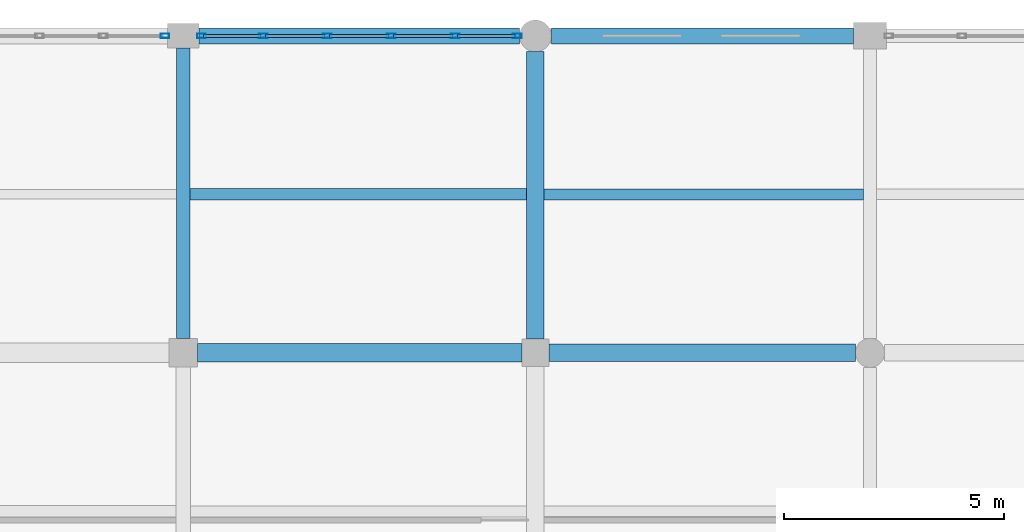
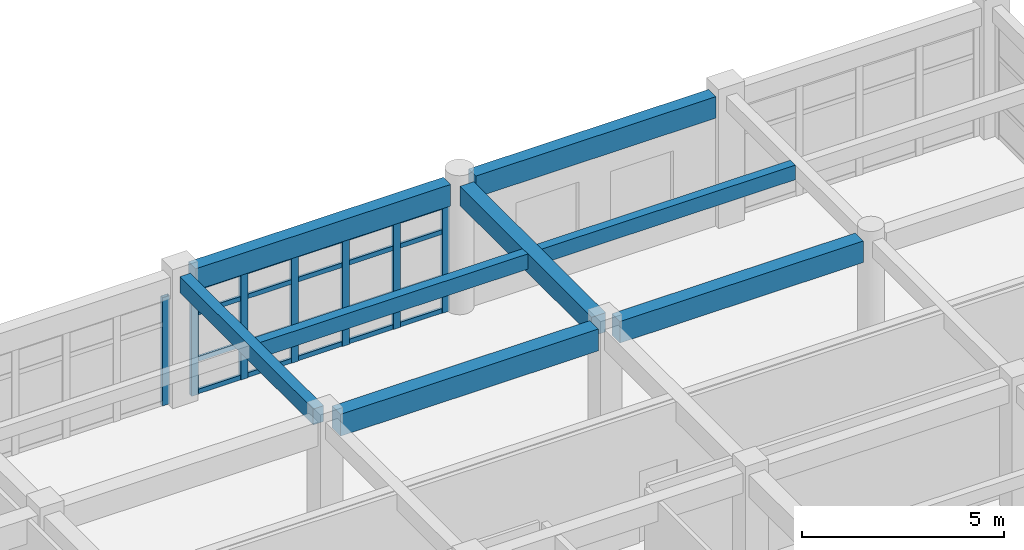
# One storey, part 140 of 195: 27 members, 8 beams, 2 elements without a shape of their own.
"""IFC4 building model written with IfcOpenShell, lengths in metres."""

from ifc_helpers import new_model, si_unit, direction, frame, origin, origin_2d, place, context, subcontext, project, spatial, rectangle, hollow_rectangle, extrude, material, material_profile, profile_set, type_object, element, aggregate, save


model = new_model("IFC4")

# Units and contexts
model_context = context("Model", 3, precision=1e-05, world=origin(), true_north=direction((0.0, 1.0)))
body_context = subcontext(model_context, "Body", "Model", "MODEL_VIEW")
ifc_project = project(units=[si_unit("LENGTHUNIT", "METRE"), si_unit("AREAUNIT", "SQUARE_METRE"), si_unit("VOLUMEUNIT", "CUBIC_METRE"), si_unit("PLANEANGLEUNIT", "RADIAN"), si_unit("MASSUNIT", "GRAM", prefix="KILO")], contexts=[model_context])

# Site, building, storey
site_placement = place(None, origin())
site = spatial("IfcSite", under=ifc_project, at=site_placement, CompositionType="ELEMENT")
building_placement = place(site_placement, origin())
building = spatial("IfcBuilding", under=site, at=building_placement, Name="Kharva Crest Polytechnic", CompositionType="ELEMENT")
storey_placement = place(building_placement, frame((0.0, 0.0, 9.0)))
storey = spatial("IfcBuildingStorey", under=building, at=storey_placement, Name="L02", CompositionType="ELEMENT", Elevation=9.0)

# Beams
ifc_material_1 = material(Name="Concrete C35/45", Category="concrete")
ifc_material_profile_1 = material_profile(ifc_material_1, rectangle(XDim=0.300048828125, YDim=0.47998046875, at=origin_2d()), Name="RECT 300 X 480")
ifc_profile_set_1 = profile_set([ifc_material_profile_1], Name="Concrete C35/45")
beam_type_1 = type_object("IfcBeamType", Name="BM-RC-300X480", PredefinedType="BEAM", material=ifc_profile_set_1)
beam_1_placement = place(storey_placement, frame((160.800048828125, 115.125, 3.679931640625), z_axis=(0.0, 1.0, 0.0), x_axis=(-1.0, 0.0, 0.0)))
element("IfcBeam", 1, at=beam_1_placement, inside=storey, type_object=beam_type_1, Name="L02 Girder 21/R-S", PredefinedType="BEAM", context=body_context, shape_type="SweptSolid", body=[
    extrude(rectangle(XDim=0.300048828125, YDim=0.47998046875, at=origin_2d()), origin(), (0.0, 0.0, 1.0), 6.60009765625),
])
ifc_material_profile_2 = material_profile(ifc_material_1, rectangle(XDim=0.39990234375, YDim=0.580078125, at=origin_2d()), Name="RECT 400 X 580")
ifc_profile_set_2 = profile_set([ifc_material_profile_2], Name="Concrete C35/45")
beam_type_2 = type_object("IfcBeamType", Name="BM-RC-400X580", PredefinedType="BEAM", material=ifc_profile_set_2)
beam_2_placement = place(storey_placement, frame((168.800048828125, 115.110107421875, 3.6298828125), z_axis=(0.0, 1.0, 0.0), x_axis=(-1.0, 0.0, 0.0)))
element("IfcBeam", 2, at=beam_2_placement, inside=storey, type_object=beam_type_2, Name="L02 Girder 22/R-S", PredefinedType="BEAM", context=body_context, shape_type="SweptSolid", body=[
    extrude(rectangle(XDim=0.39990234375, YDim=0.580078125, at=origin_2d()), origin(), (0.0, 0.0, 1.0), 6.52978515625),
])
ifc_material_profile_3 = material_profile(ifc_material_1, rectangle(XDim=0.39990234375, YDim=0.64990234375, at=origin_2d()), Name="RECT 400 X 650")
ifc_profile_set_3 = profile_set([ifc_material_profile_3], Name="Concrete C35/45")
beam_type_3 = type_object("IfcBeamType", Name="BM-RC-400X650", PredefinedType="BEAM", material=ifc_profile_set_3)
beam_3_placement = place(storey_placement, frame((169.110107421875, 114.800048828125, 3.594970703125), z_axis=(1.0, 0.0, 0.0), x_axis=(0.0, 1.0, 0.0)))
element("IfcBeam", 3, at=beam_3_placement, inside=storey, type_object=beam_type_3, Name="L02 Beam R/22-23", PredefinedType="BEAM", context=body_context, shape_type="SweptSolid", body=[
    extrude(rectangle(XDim=0.39990234375, YDim=0.64990234375, at=origin_2d()), origin(), (0.0, 0.0, 1.0), 6.9599609375),
])
ifc_material_profile_4 = material_profile(ifc_material_1, rectangle(XDim=0.419921875, YDim=0.659912109375, at=origin_2d()), Name="RECT 420 X 660")
ifc_profile_set_4 = profile_set([ifc_material_profile_4], Name="Concrete C35/45")
beam_type_4 = type_object("IfcBeamType", Name="BM-RC-420X660", PredefinedType="BEAM", material=ifc_profile_set_4)
beam_4_placement = place(storey_placement, frame((161.125, 114.800048828125, 3.590087890625), z_axis=(1.0, 0.0, 0.0), x_axis=(0.0, 1.0, 0.0)))
element("IfcBeam", 4, at=beam_4_placement, inside=storey, type_object=beam_type_4, Name="L02 Beam R/21-22", PredefinedType="BEAM", context=body_context, shape_type="SweptSolid", body=[
    extrude(rectangle(XDim=0.419921875, YDim=0.659912109375, at=origin_2d()), origin(), (0.0, 0.0, 1.0), 7.364990234375),
])

# Curtain wall, members
ifc_material_2 = material(Name="Tempered insulated glass", Category="glass")
curtain_wall_type = type_object("IfcCurtainWallType", Name="CW-SYS-LIBRARY", PredefinedType="USERDEFINED", material=ifc_material_2)
curtain_wall_1_placement = place(storey_placement, origin())
curtain_wall_1 = element("IfcCurtainWall", 5, at=curtain_wall_1_placement, inside=storey, type_object=curtain_wall_type, Name="L02 Glazed Curtain Wall CW-114", ObjectType="CURTAIN WALL", PredefinedType="USERDEFINED")
ifc_material_3 = material(Name="Steel S355", Category="steel")
ifc_material_profile_5 = material_profile(ifc_material_3, hollow_rectangle(XDim=0.10009765625, YDim=0.199951171875, WallThickness=0.00634765625, at=origin_2d()), Name="RHS 200X100X6.3")
ifc_profile_set_5 = profile_set([ifc_material_profile_5], Name="Steel S355")
member_type_1 = type_object("IfcMemberType", Name="CWM-RHS200X100", PredefinedType="MULLION", material=ifc_profile_set_5)
member_1_placement = place(storey_placement, frame((168.385009765625, 122.0, 0.0), z_axis=(0.0, 0.0, 1.0), x_axis=(0.0, -1.0, 0.0)))
member_1 = element("IfcMember", 6, at=member_1_placement, type_object=member_type_1, Name="CW-114 mullion 1", PredefinedType="MULLION", context=body_context, shape_type="SweptSolid", body=[
    extrude(hollow_rectangle(XDim=0.10009765625, YDim=0.199951171875, WallThickness=0.00634765625, at=origin_2d()), origin(), (0.0, 0.0, 1.0), 3.27001953125),
])
member_2_placement = place(storey_placement, frame((166.98095703125, 122.0, 0.0), z_axis=(0.0, 0.0, 1.0), x_axis=(0.0, -1.0, 0.0)))
member_2 = element("IfcMember", 7, at=member_2_placement, type_object=member_type_1, Name="CW-114 mullion 2", PredefinedType="MULLION", context=body_context, shape_type="SweptSolid", body=[
    extrude(hollow_rectangle(XDim=0.10009765625, YDim=0.199951171875, WallThickness=0.00634765625, at=origin_2d()), origin(), (0.0, 0.0, 1.0), 3.27001953125),
])
member_3_placement = place(storey_placement, frame((165.527099609375, 122.0, 0.0), z_axis=(0.0, 0.0, 1.0), x_axis=(0.0, -1.0, 0.0)))
member_3 = element("IfcMember", 8, at=member_3_placement, type_object=member_type_1, Name="CW-114 mullion 3", PredefinedType="MULLION", context=body_context, shape_type="SweptSolid", body=[
    extrude(hollow_rectangle(XDim=0.10009765625, YDim=0.199951171875, WallThickness=0.00634765625, at=origin_2d()), origin(), (0.0, 0.0, 1.0), 3.27001953125),
])
member_4_placement = place(storey_placement, frame((164.072998046875, 122.0, 0.0), z_axis=(0.0, 0.0, 1.0), x_axis=(0.0, -1.0, 0.0)))
member_4 = element("IfcMember", 9, at=member_4_placement, type_object=member_type_1, Name="CW-114 mullion 4", PredefinedType="MULLION", context=body_context, shape_type="SweptSolid", body=[
    extrude(hollow_rectangle(XDim=0.10009765625, YDim=0.199951171875, WallThickness=0.00634765625, at=origin_2d()), origin(), (0.0, 0.0, 1.0), 3.27001953125),
])
member_5_placement = place(storey_placement, frame((162.618896484375, 122.0, 0.0), z_axis=(0.0, 0.0, 1.0), x_axis=(0.0, -1.0, 0.0)))
member_5 = element("IfcMember", 10, at=member_5_placement, type_object=member_type_1, Name="CW-114 mullion 5", PredefinedType="MULLION", context=body_context, shape_type="SweptSolid", body=[
    extrude(hollow_rectangle(XDim=0.10009765625, YDim=0.199951171875, WallThickness=0.00634765625, at=origin_2d()), origin(), (0.0, 0.0, 1.0), 3.27001953125),
])
member_6_placement = place(storey_placement, frame((161.215087890625, 122.0, 0.0), z_axis=(0.0, 0.0, 1.0), x_axis=(0.0, -1.0, 0.0)))
member_6 = element("IfcMember", 11, at=member_6_placement, type_object=member_type_1, Name="CW-114 mullion 6", PredefinedType="MULLION", context=body_context, shape_type="SweptSolid", body=[
    extrude(hollow_rectangle(XDim=0.10009765625, YDim=0.199951171875, WallThickness=0.00634765625, at=origin_2d()), origin(), (0.0, 0.0, 1.0), 3.27001953125),
])

# Curtain wall, member
curtain_wall_2_placement = place(storey_placement, origin())
curtain_wall_2 = element("IfcCurtainWall", 12, at=curtain_wall_2_placement, inside=storey, type_object=curtain_wall_type, Name="L02 Glazed Curtain Wall CW-115", ObjectType="CURTAIN WALL", PredefinedType="USERDEFINED")
member_7_placement = place(storey_placement, frame((160.385009765625, 122.0, 0.0), z_axis=(0.0, 0.0, 1.0), x_axis=(0.0, -1.0, 0.0)))
member_7 = element("IfcMember", 13, at=member_7_placement, type_object=member_type_1, Name="CW-115 mullion 1", PredefinedType="MULLION", context=body_context, shape_type="SweptSolid", body=[
    extrude(hollow_rectangle(XDim=0.10009765625, YDim=0.199951171875, WallThickness=0.00634765625, at=origin_2d()), origin(), (0.0, 0.0, 1.0), 3.27001953125),
])
aggregate(curtain_wall_2, [member_7])

# Member
ifc_material_profile_6 = material_profile(ifc_material_3, hollow_rectangle(XDim=0.070068359375, YDim=0.139892578125, WallThickness=0.00390625, at=origin_2d()), Name="RHS 140X70X4.0")
ifc_profile_set_6 = profile_set([ifc_material_profile_6], Name="Steel S355")
member_type_2 = type_object("IfcMemberType", Name="CWT-RHS140X70", PredefinedType="USERDEFINED", material=ifc_profile_set_6)
member_8_placement = place(storey_placement, frame((168.3349609375, 122.0, 0.070068359375), z_axis=(-1.0, 0.0, 0.0), x_axis=(0.0, -1.0, 0.0)))
member_8 = element("IfcMember", 14, at=member_8_placement, type_object=member_type_2, Name="CW-114 transom 1.1", ObjectType="TRANSOM", PredefinedType="USERDEFINED", context=body_context, shape_type="SweptSolid", body=[
    extrude(hollow_rectangle(XDim=0.070068359375, YDim=0.139892578125, WallThickness=0.00390625, at=origin_2d()), origin(), (0.0, 0.0, 1.0), 1.303955078125),
])

member_9_placement = place(storey_placement, frame((168.3349609375, 122.0, 1.050048828125), z_axis=(-1.0, 0.0, 0.0), x_axis=(0.0, -1.0, 0.0)))
member_9 = element("IfcMember", 15, at=member_9_placement, type_object=member_type_2, Name="CW-114 transom 1.2", ObjectType="TRANSOM", PredefinedType="USERDEFINED", context=body_context, shape_type="SweptSolid", body=[
    extrude(hollow_rectangle(XDim=0.070068359375, YDim=0.139892578125, WallThickness=0.00390625, at=origin_2d()), origin(), (0.0, 0.0, 1.0), 1.303955078125),
])

member_10_placement = place(storey_placement, frame((168.3349609375, 122.0, 2.449951171875), z_axis=(-1.0, 0.0, 0.0), x_axis=(0.0, -1.0, 0.0)))
member_10 = element("IfcMember", 16, at=member_10_placement, type_object=member_type_2, Name="CW-114 transom 1.3", ObjectType="TRANSOM", PredefinedType="USERDEFINED", context=body_context, shape_type="SweptSolid", body=[
    extrude(hollow_rectangle(XDim=0.070068359375, YDim=0.139892578125, WallThickness=0.00390625, at=origin_2d()), origin(), (0.0, 0.0, 1.0), 1.303955078125),
])

member_11_placement = place(storey_placement, frame((168.3349609375, 122.0, 3.199951171875), z_axis=(-1.0, 0.0, 0.0), x_axis=(0.0, -1.0, 0.0)))
member_11 = element("IfcMember", 17, at=member_11_placement, type_object=member_type_2, Name="CW-114 transom 1.4", ObjectType="TRANSOM", PredefinedType="USERDEFINED", context=body_context, shape_type="SweptSolid", body=[
    extrude(hollow_rectangle(XDim=0.070068359375, YDim=0.139892578125, WallThickness=0.00390625, at=origin_2d()), origin(), (0.0, 0.0, 1.0), 1.303955078125),
])

member_12_placement = place(storey_placement, frame((166.930908203125, 122.0, 0.070068359375), z_axis=(-1.0, 0.0, 0.0), x_axis=(0.0, -1.0, 0.0)))
member_12 = element("IfcMember", 18, at=member_12_placement, type_object=member_type_2, Name="CW-114 transom 2.1", ObjectType="TRANSOM", PredefinedType="USERDEFINED", context=body_context, shape_type="SweptSolid", body=[
    extrude(hollow_rectangle(XDim=0.070068359375, YDim=0.139892578125, WallThickness=0.00390625, at=origin_2d()), origin(), (0.0, 0.0, 1.0), 1.35400390625),
])

member_13_placement = place(storey_placement, frame((166.930908203125, 122.0, 1.050048828125), z_axis=(-1.0, 0.0, 0.0), x_axis=(0.0, -1.0, 0.0)))
member_13 = element("IfcMember", 19, at=member_13_placement, type_object=member_type_2, Name="CW-114 transom 2.2", ObjectType="TRANSOM", PredefinedType="USERDEFINED", context=body_context, shape_type="SweptSolid", body=[
    extrude(hollow_rectangle(XDim=0.070068359375, YDim=0.139892578125, WallThickness=0.00390625, at=origin_2d()), origin(), (0.0, 0.0, 1.0), 1.35400390625),
])

member_14_placement = place(storey_placement, frame((166.930908203125, 122.0, 2.449951171875), z_axis=(-1.0, 0.0, 0.0), x_axis=(0.0, -1.0, 0.0)))
member_14 = element("IfcMember", 20, at=member_14_placement, type_object=member_type_2, Name="CW-114 transom 2.3", ObjectType="TRANSOM", PredefinedType="USERDEFINED", context=body_context, shape_type="SweptSolid", body=[
    extrude(hollow_rectangle(XDim=0.070068359375, YDim=0.139892578125, WallThickness=0.00390625, at=origin_2d()), origin(), (0.0, 0.0, 1.0), 1.35400390625),
])

member_15_placement = place(storey_placement, frame((166.930908203125, 122.0, 3.199951171875), z_axis=(-1.0, 0.0, 0.0), x_axis=(0.0, -1.0, 0.0)))
member_15 = element("IfcMember", 21, at=member_15_placement, type_object=member_type_2, Name="CW-114 transom 2.4", ObjectType="TRANSOM", PredefinedType="USERDEFINED", context=body_context, shape_type="SweptSolid", body=[
    extrude(hollow_rectangle(XDim=0.070068359375, YDim=0.139892578125, WallThickness=0.00390625, at=origin_2d()), origin(), (0.0, 0.0, 1.0), 1.35400390625),
])

member_16_placement = place(storey_placement, frame((165.47705078125, 122.0, 0.070068359375), z_axis=(-1.0, 0.0, 0.0), x_axis=(0.0, -1.0, 0.0)))
member_16 = element("IfcMember", 22, at=member_16_placement, type_object=member_type_2, Name="CW-114 transom 3.1", ObjectType="TRANSOM", PredefinedType="USERDEFINED", context=body_context, shape_type="SweptSolid", body=[
    extrude(hollow_rectangle(XDim=0.070068359375, YDim=0.139892578125, WallThickness=0.00390625, at=origin_2d()), origin(), (0.0, 0.0, 1.0), 1.35400390625),
])

member_17_placement = place(storey_placement, frame((165.47705078125, 122.0, 1.050048828125), z_axis=(-1.0, 0.0, 0.0), x_axis=(0.0, -1.0, 0.0)))
member_17 = element("IfcMember", 23, at=member_17_placement, type_object=member_type_2, Name="CW-114 transom 3.2", ObjectType="TRANSOM", PredefinedType="USERDEFINED", context=body_context, shape_type="SweptSolid", body=[
    extrude(hollow_rectangle(XDim=0.070068359375, YDim=0.139892578125, WallThickness=0.00390625, at=origin_2d()), origin(), (0.0, 0.0, 1.0), 1.35400390625),
])

member_18_placement = place(storey_placement, frame((165.47705078125, 122.0, 2.449951171875), z_axis=(-1.0, 0.0, 0.0), x_axis=(0.0, -1.0, 0.0)))
member_18 = element("IfcMember", 24, at=member_18_placement, type_object=member_type_2, Name="CW-114 transom 3.3", ObjectType="TRANSOM", PredefinedType="USERDEFINED", context=body_context, shape_type="SweptSolid", body=[
    extrude(hollow_rectangle(XDim=0.070068359375, YDim=0.139892578125, WallThickness=0.00390625, at=origin_2d()), origin(), (0.0, 0.0, 1.0), 1.35400390625),
])

member_19_placement = place(storey_placement, frame((165.47705078125, 122.0, 3.199951171875), z_axis=(-1.0, 0.0, 0.0), x_axis=(0.0, -1.0, 0.0)))
member_19 = element("IfcMember", 25, at=member_19_placement, type_object=member_type_2, Name="CW-114 transom 3.4", ObjectType="TRANSOM", PredefinedType="USERDEFINED", context=body_context, shape_type="SweptSolid", body=[
    extrude(hollow_rectangle(XDim=0.070068359375, YDim=0.139892578125, WallThickness=0.00390625, at=origin_2d()), origin(), (0.0, 0.0, 1.0), 1.35400390625),
])

member_20_placement = place(storey_placement, frame((164.02294921875, 122.0, 0.070068359375), z_axis=(-1.0, 0.0, 0.0), x_axis=(0.0, -1.0, 0.0)))
member_20 = element("IfcMember", 26, at=member_20_placement, type_object=member_type_2, Name="CW-114 transom 4.1", ObjectType="TRANSOM", PredefinedType="USERDEFINED", context=body_context, shape_type="SweptSolid", body=[
    extrude(hollow_rectangle(XDim=0.070068359375, YDim=0.139892578125, WallThickness=0.00390625, at=origin_2d()), origin(), (0.0, 0.0, 1.0), 1.35400390625),
])

member_21_placement = place(storey_placement, frame((164.02294921875, 122.0, 1.050048828125), z_axis=(-1.0, 0.0, 0.0), x_axis=(0.0, -1.0, 0.0)))
member_21 = element("IfcMember", 27, at=member_21_placement, type_object=member_type_2, Name="CW-114 transom 4.2", ObjectType="TRANSOM", PredefinedType="USERDEFINED", context=body_context, shape_type="SweptSolid", body=[
    extrude(hollow_rectangle(XDim=0.070068359375, YDim=0.139892578125, WallThickness=0.00390625, at=origin_2d()), origin(), (0.0, 0.0, 1.0), 1.35400390625),
])

member_22_placement = place(storey_placement, frame((164.02294921875, 122.0, 2.449951171875), z_axis=(-1.0, 0.0, 0.0), x_axis=(0.0, -1.0, 0.0)))
member_22 = element("IfcMember", 28, at=member_22_placement, type_object=member_type_2, Name="CW-114 transom 4.3", ObjectType="TRANSOM", PredefinedType="USERDEFINED", context=body_context, shape_type="SweptSolid", body=[
    extrude(hollow_rectangle(XDim=0.070068359375, YDim=0.139892578125, WallThickness=0.00390625, at=origin_2d()), origin(), (0.0, 0.0, 1.0), 1.35400390625),
])

member_23_placement = place(storey_placement, frame((164.02294921875, 122.0, 3.199951171875), z_axis=(-1.0, 0.0, 0.0), x_axis=(0.0, -1.0, 0.0)))
member_23 = element("IfcMember", 29, at=member_23_placement, type_object=member_type_2, Name="CW-114 transom 4.4", ObjectType="TRANSOM", PredefinedType="USERDEFINED", context=body_context, shape_type="SweptSolid", body=[
    extrude(hollow_rectangle(XDim=0.070068359375, YDim=0.139892578125, WallThickness=0.00390625, at=origin_2d()), origin(), (0.0, 0.0, 1.0), 1.35400390625),
])

member_24_placement = place(storey_placement, frame((162.569091796875, 122.0, 0.070068359375), z_axis=(-1.0, 0.0, 0.0), x_axis=(0.0, -1.0, 0.0)))
member_24 = element("IfcMember", 30, at=member_24_placement, type_object=member_type_2, Name="CW-114 transom 5.1", ObjectType="TRANSOM", PredefinedType="USERDEFINED", context=body_context, shape_type="SweptSolid", body=[
    extrude(hollow_rectangle(XDim=0.070068359375, YDim=0.139892578125, WallThickness=0.00390625, at=origin_2d()), origin(), (0.0, 0.0, 1.0), 1.30419921875),
])

member_25_placement = place(storey_placement, frame((162.569091796875, 122.0, 1.050048828125), z_axis=(-1.0, 0.0, 0.0), x_axis=(0.0, -1.0, 0.0)))
member_25 = element("IfcMember", 31, at=member_25_placement, type_object=member_type_2, Name="CW-114 transom 5.2", ObjectType="TRANSOM", PredefinedType="USERDEFINED", context=body_context, shape_type="SweptSolid", body=[
    extrude(hollow_rectangle(XDim=0.070068359375, YDim=0.139892578125, WallThickness=0.00390625, at=origin_2d()), origin(), (0.0, 0.0, 1.0), 1.30419921875),
])

member_26_placement = place(storey_placement, frame((162.569091796875, 122.0, 2.449951171875), z_axis=(-1.0, 0.0, 0.0), x_axis=(0.0, -1.0, 0.0)))
member_26 = element("IfcMember", 32, at=member_26_placement, type_object=member_type_2, Name="CW-114 transom 5.3", ObjectType="TRANSOM", PredefinedType="USERDEFINED", context=body_context, shape_type="SweptSolid", body=[
    extrude(hollow_rectangle(XDim=0.070068359375, YDim=0.139892578125, WallThickness=0.00390625, at=origin_2d()), origin(), (0.0, 0.0, 1.0), 1.30419921875),
])

member_27_placement = place(storey_placement, frame((162.569091796875, 122.0, 3.199951171875), z_axis=(-1.0, 0.0, 0.0), x_axis=(0.0, -1.0, 0.0)))
member_27 = element("IfcMember", 33, at=member_27_placement, type_object=member_type_2, Name="CW-114 transom 5.4", ObjectType="TRANSOM", PredefinedType="USERDEFINED", context=body_context, shape_type="SweptSolid", body=[
    extrude(hollow_rectangle(XDim=0.070068359375, YDim=0.139892578125, WallThickness=0.00390625, at=origin_2d()), origin(), (0.0, 0.0, 1.0), 1.30419921875),
])

aggregate(curtain_wall_1, [member_1, member_2, member_3, member_4, member_5, member_6, member_8, member_9, member_10, member_11, member_12, member_13, member_14, member_15, member_16, member_17, member_18, member_19, member_20, member_21, member_22, member_23, member_24, member_25, member_26, member_27])

# Beams
ifc_material_profile_7 = material_profile(ifc_material_1, rectangle(XDim=0.25, YDim=0.43994140625, at=origin_2d()), Name="RECT 250 X 440")
ifc_profile_set_7 = profile_set([ifc_material_profile_7], Name="Concrete C35/45")
beam_type_5 = type_object("IfcBeamType", Name="JS-RC-250X440", PredefinedType="JOIST", material=ifc_profile_set_7)
beam_5_placement = place(storey_placement, frame((169.0, 118.39990234375, 3.699951171875), z_axis=(1.0, 0.0, 0.0), x_axis=(0.0, 1.0, 0.0)))
element("IfcBeam", 34, at=beam_5_placement, inside=storey, type_object=beam_type_5, Name="L02 Floor Joist 62", PredefinedType="JOIST", context=body_context, shape_type="SweptSolid", body=[
    extrude(rectangle(XDim=0.25, YDim=0.43994140625, at=origin_2d()), origin(), (0.0, 0.0, 1.0), 7.25),
])
ifc_material_profile_8 = material_profile(ifc_material_1, rectangle(XDim=0.260009765625, YDim=0.4599609375, at=origin_2d()), Name="RECT 260 X 460")
ifc_profile_set_8 = profile_set([ifc_material_profile_8], Name="Concrete C35/45")
beam_type_6 = type_object("IfcBeamType", Name="JS-RC-260X460", PredefinedType="JOIST", material=ifc_profile_set_8)
beam_6_placement = place(storey_placement, frame((160.949951171875, 118.39990234375, 3.68994140625), z_axis=(1.0, 0.0, 0.0), x_axis=(0.0, 1.0, 0.0)))
element("IfcBeam", 35, at=beam_6_placement, inside=storey, type_object=beam_type_6, Name="L02 Floor Joist 61", PredefinedType="JOIST", context=body_context, shape_type="SweptSolid", body=[
    extrude(rectangle(XDim=0.260009765625, YDim=0.4599609375, at=origin_2d()), origin(), (0.0, 0.0, 1.0), 7.650146484375),
])
ifc_material_profile_9 = material_profile(ifc_material_1, rectangle(XDim=0.360107421875, YDim=0.64990234375, at=origin_2d()), Name="RECT 360 X 650")
ifc_profile_set_9 = profile_set([ifc_material_profile_9], Name="Concrete C35/45")
beam_type_7 = type_object("IfcBeamType", Name="SP-RC-360X650", PredefinedType="SPANDREL", material=ifc_profile_set_9)
beam_7_placement = place(storey_placement, frame((161.159912109375, 122.0, 3.594970703125), z_axis=(1.0, 0.0, 0.0), x_axis=(0.0, 1.0, 0.0)))
element("IfcBeam", 36, at=beam_7_placement, inside=storey, type_object=beam_type_7, Name="L02 Beam S/21-22", PredefinedType="SPANDREL", context=body_context, shape_type="SweptSolid", body=[
    extrude(rectangle(XDim=0.360107421875, YDim=0.64990234375, at=origin_2d()), origin(), (0.0, 0.0, 1.0), 7.280029296875),
])
beam_8_placement = place(storey_placement, frame((169.159912109375, 122.0, 3.594970703125), z_axis=(1.0, 0.0, 0.0), x_axis=(0.0, 1.0, 0.0)))
element("IfcBeam", 37, at=beam_8_placement, inside=storey, type_object=beam_type_7, Name="L02 Beam S/22-23", PredefinedType="SPANDREL", context=body_context, shape_type="SweptSolid", body=[
    extrude(rectangle(XDim=0.360107421875, YDim=0.64990234375, at=origin_2d()), origin(), (0.0, 0.0, 1.0), 6.864990234375),
])

save(model, "model.ifc")
